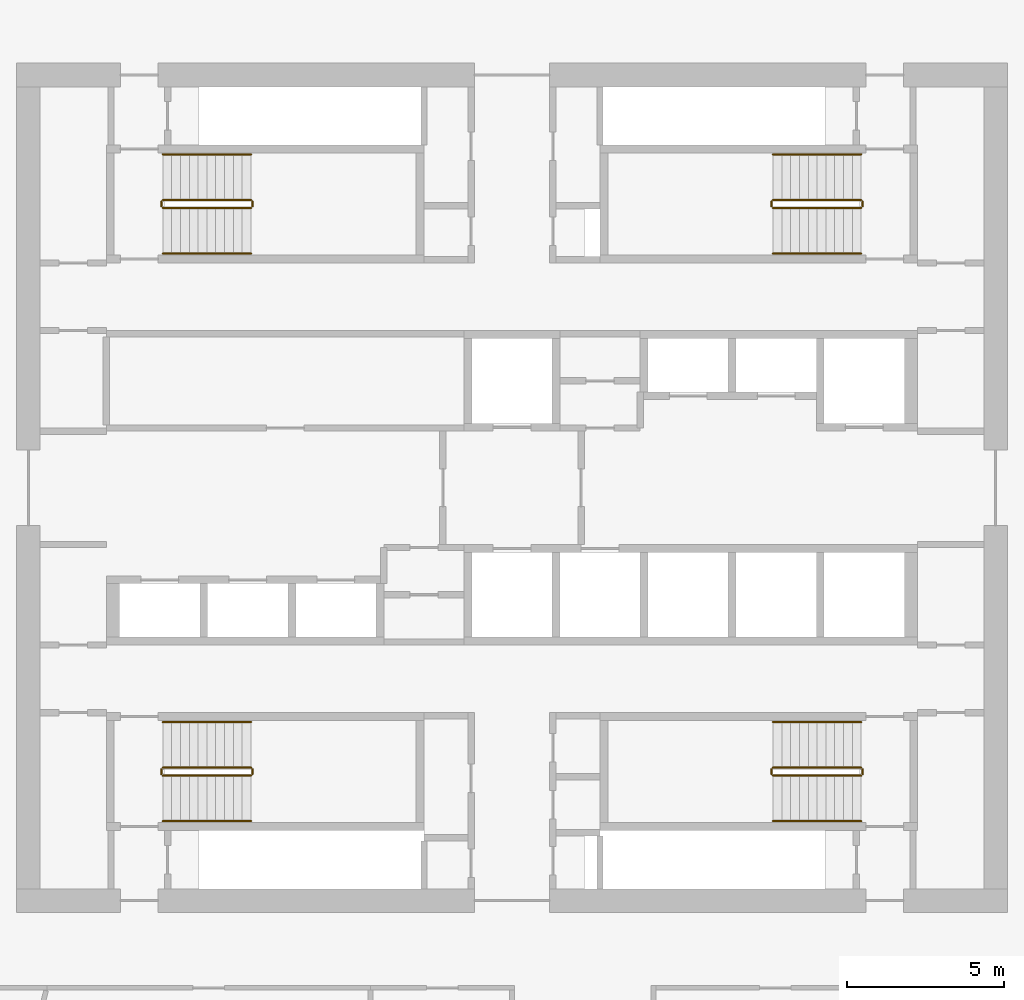
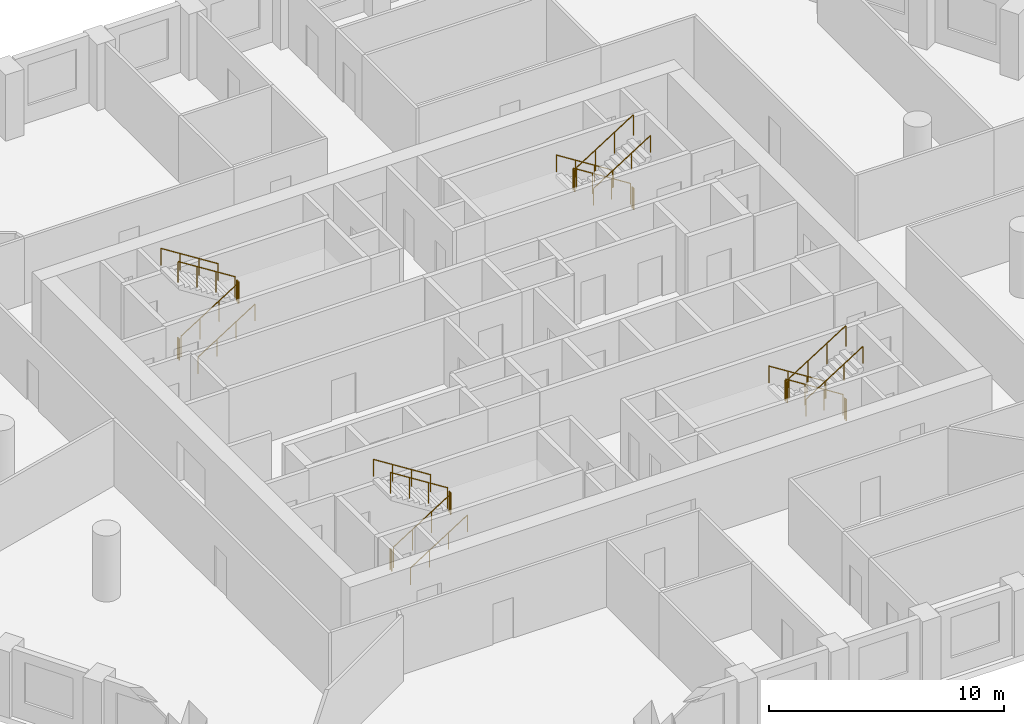
# One storey, part 9 of 9: 24 railings.
"""IFC4 building model written with IfcOpenShell, lengths in metres."""

from ifc_helpers import new_model, si_unit, direction, frame, origin, origin_2d, place, context, subcontext, project, spatial, circle, extrude, material, type_object, element, save


model = new_model("IFC4")

# Units and contexts
model_context = context("Model", 3, precision=1e-05, world=origin(), true_north=direction((0.0, 1.0)))
body_context = subcontext(model_context, "Body", "Model", "MODEL_VIEW")
ifc_project = project(units=[si_unit("LENGTHUNIT", "METRE"), si_unit("AREAUNIT", "SQUARE_METRE"), si_unit("VOLUMEUNIT", "CUBIC_METRE"), si_unit("PLANEANGLEUNIT", "RADIAN"), si_unit("MASSUNIT", "GRAM", prefix="KILO")], contexts=[model_context])

# Site, building, storey
site_placement = place(None, origin())
site = spatial("IfcSite", under=ifc_project, at=site_placement, CompositionType="ELEMENT")
building_placement = place(site_placement, origin())
building = spatial("IfcBuilding", under=site, at=building_placement, Name="Dhurran Vertical Campus", CompositionType="ELEMENT")
storey_placement = place(building_placement, frame((0.0, 0.0, 175.5)))
storey = spatial("IfcBuildingStorey", under=building, at=storey_placement, Name="L43", CompositionType="ELEMENT", Elevation=175.5)

# Railings
ifc_material_1 = material(Name="Stainless steel balustrade", Category="steel")
railing_type_1 = type_object("IfcRailingType", Name="co-RL-GUARD-1100", PredefinedType="GUARDRAIL", material=ifc_material_1)
railing_1_placement = place(storey_placement, frame((-11.10009765625, 8.89990234375, 0.17724609375)))
element("IfcRailing", 1, at=railing_1_placement, inside=storey, type_object=railing_type_1, Name="L43 ST1 stair guard 1", PredefinedType="GUARDRAIL", context=body_context, shape_type="SweptSolid", body=[
    extrude(circle(Radius=0.02392578125, at=origin_2d()), frame((0.0, 0.0, 1.076171875), z_axis=(0.844908973607, 0.0, 0.534910110503), x_axis=(0.0, 1.0, 0.0)), (0.0, 0.0, 1.0), 3.31396484375),
    extrude(circle(Radius=0.02099609375, at=origin_2d()), origin(), (0.0, 0.0, 1.0), 1.052001953125),
    extrude(circle(Radius=0.02099609375, at=origin_2d()), frame((0.933349609375, 0.0, 0.5908203125)), (0.0, 0.0, 1.0), 1.052001953125),
    extrude(circle(Radius=0.02099609375, at=origin_2d()), frame((1.86669921875, 0.0, 1.181884765625)), (0.0, 0.0, 1.0), 1.052001953125),
    extrude(circle(Radius=0.02099609375, at=origin_2d()), frame((2.800048828125, 0.0, 1.772705078125)), (0.0, 0.0, 1.0), 1.052001953125),
])
railing_2_placement = place(storey_placement, frame((-8.25, 8.949951171875, 1.949951171875)))
element("IfcRailing", 2, at=railing_2_placement, inside=storey, type_object=railing_type_1, Name="L43 ST1 stair guard 2", PredefinedType="GUARDRAIL", context=body_context, shape_type="SweptSolid", body=[
    extrude(circle(Radius=0.02392578125, at=origin_2d()), frame((0.0, 0.0, 1.076171875), z_axis=(0.0, 1.0, 0.0), x_axis=(-1.0, 0.0, 0.0)), (0.0, 0.0, 1.0), 0.150146484375),
    extrude(circle(Radius=0.02099609375, at=origin_2d()), origin(), (0.0, 0.0, 1.0), 1.052001953125),
    extrude(circle(Radius=0.02099609375, at=origin_2d()), frame((0.0, 0.150146484375, 0.0)), (0.0, 0.0, 1.0), 1.052001953125),
])
railing_3_placement = place(storey_placement, frame((-8.300048828125, 9.14990234375, 2.127197265625)))
element("IfcRailing", 3, at=railing_3_placement, inside=storey, type_object=railing_type_1, Name="L43 ST1 stair guard 3", PredefinedType="GUARDRAIL", context=body_context, shape_type="SweptSolid", body=[
    extrude(circle(Radius=0.02392578125, at=origin_2d()), frame((0.0, 0.0, 1.076171875), z_axis=(-0.844908973607, 0.0, 0.534910110503), x_axis=(0.0, -1.0, 0.0)), (0.0, 0.0, 1.0), 3.31396484375),
    extrude(circle(Radius=0.02099609375, at=origin_2d()), origin(), (0.0, 0.0, 1.0), 1.052001953125),
    extrude(circle(Radius=0.02099609375, at=origin_2d()), frame((-0.933349609375, 0.0, 0.5908203125)), (0.0, 0.0, 1.0), 1.052001953125),
    extrude(circle(Radius=0.02099609375, at=origin_2d()), frame((-1.86669921875, 0.0, 1.181884765625)), (0.0, 0.0, 1.0), 1.052001953125),
    extrude(circle(Radius=0.02099609375, at=origin_2d()), frame((-2.800048828125, 0.0, 1.772705078125)), (0.0, 0.0, 1.0), 1.052001953125),
])
railing_4_placement = place(storey_placement, frame((-11.14990234375, 8.949951171875, 0.0)))
element("IfcRailing", 4, at=railing_4_placement, inside=storey, type_object=railing_type_1, Name="L43 ST1 stair guard 4", PredefinedType="GUARDRAIL", context=body_context, shape_type="SweptSolid", body=[
    extrude(circle(Radius=0.02392578125, at=origin_2d()), frame((0.0, 0.0, 1.076171875), z_axis=(0.0, 1.0, 0.0), x_axis=(-1.0, 0.0, 0.0)), (0.0, 0.0, 1.0), 0.150146484375),
    extrude(circle(Radius=0.02099609375, at=origin_2d()), origin(), (0.0, 0.0, 1.0), 1.052001953125),
    extrude(circle(Radius=0.02099609375, at=origin_2d()), frame((0.0, 0.150146484375, 0.0)), (0.0, 0.0, 1.0), 1.052001953125),
])
railing_5_placement = place(storey_placement, frame((11.10009765625, 9.14990234375, 0.17724609375)))
element("IfcRailing", 5, at=railing_5_placement, inside=storey, type_object=railing_type_1, Name="L43 ST2 stair guard 1", PredefinedType="GUARDRAIL", context=body_context, shape_type="SweptSolid", body=[
    extrude(circle(Radius=0.02392578125, at=origin_2d()), frame((0.0, 0.0, 1.076171875), z_axis=(-0.844908973607, 0.0, 0.534910110503), x_axis=(0.0, -1.0, 0.0)), (0.0, 0.0, 1.0), 3.31396484375),
    extrude(circle(Radius=0.02099609375, at=origin_2d()), origin(), (0.0, 0.0, 1.0), 1.052001953125),
    extrude(circle(Radius=0.02099609375, at=origin_2d()), frame((-0.933349609375, 0.0, 0.5908203125)), (0.0, 0.0, 1.0), 1.052001953125),
    extrude(circle(Radius=0.02099609375, at=origin_2d()), frame((-1.86669921875, 0.0, 1.181884765625)), (0.0, 0.0, 1.0), 1.052001953125),
    extrude(circle(Radius=0.02099609375, at=origin_2d()), frame((-2.800048828125, 0.0, 1.772705078125)), (0.0, 0.0, 1.0), 1.052001953125),
])
railing_6_placement = place(storey_placement, frame((8.25, 9.10009765625, 1.949951171875)))
element("IfcRailing", 6, at=railing_6_placement, inside=storey, type_object=railing_type_1, Name="L43 ST2 stair guard 2", PredefinedType="GUARDRAIL", context=body_context, shape_type="SweptSolid", body=[
    extrude(circle(Radius=0.02392578125, at=origin_2d()), frame((0.0, 0.0, 1.076171875), z_axis=(0.0, -1.0, 0.0), x_axis=(1.0, 0.0, 0.0)), (0.0, 0.0, 1.0), 0.150146484375),
    extrude(circle(Radius=0.02099609375, at=origin_2d()), origin(), (0.0, 0.0, 1.0), 1.052001953125),
    extrude(circle(Radius=0.02099609375, at=origin_2d()), frame((0.0, -0.150146484375, 0.0)), (0.0, 0.0, 1.0), 1.052001953125),
])
railing_7_placement = place(storey_placement, frame((8.300048828125, 8.89990234375, 2.127197265625)))
element("IfcRailing", 7, at=railing_7_placement, inside=storey, type_object=railing_type_1, Name="L43 ST2 stair guard 3", PredefinedType="GUARDRAIL", context=body_context, shape_type="SweptSolid", body=[
    extrude(circle(Radius=0.02392578125, at=origin_2d()), frame((0.0, 0.0, 1.076171875), z_axis=(0.844908973607, 0.0, 0.534910110503), x_axis=(0.0, 1.0, 0.0)), (0.0, 0.0, 1.0), 3.31396484375),
    extrude(circle(Radius=0.02099609375, at=origin_2d()), origin(), (0.0, 0.0, 1.0), 1.052001953125),
    extrude(circle(Radius=0.02099609375, at=origin_2d()), frame((0.933349609375, 0.0, 0.5908203125)), (0.0, 0.0, 1.0), 1.052001953125),
    extrude(circle(Radius=0.02099609375, at=origin_2d()), frame((1.86669921875, 0.0, 1.181884765625)), (0.0, 0.0, 1.0), 1.052001953125),
    extrude(circle(Radius=0.02099609375, at=origin_2d()), frame((2.800048828125, 0.0, 1.772705078125)), (0.0, 0.0, 1.0), 1.052001953125),
])
railing_8_placement = place(storey_placement, frame((11.14990234375, 9.10009765625, 0.0)))
element("IfcRailing", 8, at=railing_8_placement, inside=storey, type_object=railing_type_1, Name="L43 ST2 stair guard 4", PredefinedType="GUARDRAIL", context=body_context, shape_type="SweptSolid", body=[
    extrude(circle(Radius=0.02392578125, at=origin_2d()), frame((0.0, 0.0, 1.076171875), z_axis=(0.0, -1.0, 0.0), x_axis=(1.0, 0.0, 0.0)), (0.0, 0.0, 1.0), 0.150146484375),
    extrude(circle(Radius=0.02099609375, at=origin_2d()), origin(), (0.0, 0.0, 1.0), 1.052001953125),
    extrude(circle(Radius=0.02099609375, at=origin_2d()), frame((0.0, -0.150146484375, 0.0)), (0.0, 0.0, 1.0), 1.052001953125),
])
railing_9_placement = place(storey_placement, frame((-11.10009765625, -9.14990234375, 0.17724609375)))
element("IfcRailing", 9, at=railing_9_placement, inside=storey, type_object=railing_type_1, Name="L43 ST3 stair guard 1", PredefinedType="GUARDRAIL", context=body_context, shape_type="SweptSolid", body=[
    extrude(circle(Radius=0.02392578125, at=origin_2d()), frame((0.0, 0.0, 1.076171875), z_axis=(0.844908973607, 0.0, 0.534910110503), x_axis=(0.0, 1.0, 0.0)), (0.0, 0.0, 1.0), 3.31396484375),
    extrude(circle(Radius=0.02099609375, at=origin_2d()), origin(), (0.0, 0.0, 1.0), 1.052001953125),
    extrude(circle(Radius=0.02099609375, at=origin_2d()), frame((0.933349609375, 0.0, 0.5908203125)), (0.0, 0.0, 1.0), 1.052001953125),
    extrude(circle(Radius=0.02099609375, at=origin_2d()), frame((1.86669921875, 0.0, 1.181884765625)), (0.0, 0.0, 1.0), 1.052001953125),
    extrude(circle(Radius=0.02099609375, at=origin_2d()), frame((2.800048828125, 0.0, 1.772705078125)), (0.0, 0.0, 1.0), 1.052001953125),
])
railing_10_placement = place(storey_placement, frame((-8.25, -9.10009765625, 1.949951171875)))
element("IfcRailing", 10, at=railing_10_placement, inside=storey, type_object=railing_type_1, Name="L43 ST3 stair guard 2", PredefinedType="GUARDRAIL", context=body_context, shape_type="SweptSolid", body=[
    extrude(circle(Radius=0.02392578125, at=origin_2d()), frame((0.0, 0.0, 1.076171875), z_axis=(0.0, 1.0, 0.0), x_axis=(-1.0, 0.0, 0.0)), (0.0, 0.0, 1.0), 0.150146484375),
    extrude(circle(Radius=0.02099609375, at=origin_2d()), origin(), (0.0, 0.0, 1.0), 1.052001953125),
    extrude(circle(Radius=0.02099609375, at=origin_2d()), frame((0.0, 0.150146484375, 0.0)), (0.0, 0.0, 1.0), 1.052001953125),
])
railing_11_placement = place(storey_placement, frame((-8.300048828125, -8.89990234375, 2.127197265625)))
element("IfcRailing", 11, at=railing_11_placement, inside=storey, type_object=railing_type_1, Name="L43 ST3 stair guard 3", PredefinedType="GUARDRAIL", context=body_context, shape_type="SweptSolid", body=[
    extrude(circle(Radius=0.02392578125, at=origin_2d()), frame((0.0, 0.0, 1.076171875), z_axis=(-0.844908973607, 0.0, 0.534910110503), x_axis=(0.0, -1.0, 0.0)), (0.0, 0.0, 1.0), 3.31396484375),
    extrude(circle(Radius=0.02099609375, at=origin_2d()), origin(), (0.0, 0.0, 1.0), 1.052001953125),
    extrude(circle(Radius=0.02099609375, at=origin_2d()), frame((-0.933349609375, 0.0, 0.5908203125)), (0.0, 0.0, 1.0), 1.052001953125),
    extrude(circle(Radius=0.02099609375, at=origin_2d()), frame((-1.86669921875, 0.0, 1.181884765625)), (0.0, 0.0, 1.0), 1.052001953125),
    extrude(circle(Radius=0.02099609375, at=origin_2d()), frame((-2.800048828125, 0.0, 1.772705078125)), (0.0, 0.0, 1.0), 1.052001953125),
])
railing_12_placement = place(storey_placement, frame((-11.14990234375, -9.10009765625, 0.0)))
element("IfcRailing", 12, at=railing_12_placement, inside=storey, type_object=railing_type_1, Name="L43 ST3 stair guard 4", PredefinedType="GUARDRAIL", context=body_context, shape_type="SweptSolid", body=[
    extrude(circle(Radius=0.02392578125, at=origin_2d()), frame((0.0, 0.0, 1.076171875), z_axis=(0.0, 1.0, 0.0), x_axis=(-1.0, 0.0, 0.0)), (0.0, 0.0, 1.0), 0.150146484375),
    extrude(circle(Radius=0.02099609375, at=origin_2d()), origin(), (0.0, 0.0, 1.0), 1.052001953125),
    extrude(circle(Radius=0.02099609375, at=origin_2d()), frame((0.0, 0.150146484375, 0.0)), (0.0, 0.0, 1.0), 1.052001953125),
])
railing_13_placement = place(storey_placement, frame((11.10009765625, -8.89990234375, 0.17724609375)))
element("IfcRailing", 13, at=railing_13_placement, inside=storey, type_object=railing_type_1, Name="L43 ST4 stair guard 1", PredefinedType="GUARDRAIL", context=body_context, shape_type="SweptSolid", body=[
    extrude(circle(Radius=0.02392578125, at=origin_2d()), frame((0.0, 0.0, 1.076171875), z_axis=(-0.844908973607, 0.0, 0.534910110503), x_axis=(0.0, -1.0, 0.0)), (0.0, 0.0, 1.0), 3.31396484375),
    extrude(circle(Radius=0.02099609375, at=origin_2d()), origin(), (0.0, 0.0, 1.0), 1.052001953125),
    extrude(circle(Radius=0.02099609375, at=origin_2d()), frame((-0.933349609375, 0.0, 0.5908203125)), (0.0, 0.0, 1.0), 1.052001953125),
    extrude(circle(Radius=0.02099609375, at=origin_2d()), frame((-1.86669921875, 0.0, 1.181884765625)), (0.0, 0.0, 1.0), 1.052001953125),
    extrude(circle(Radius=0.02099609375, at=origin_2d()), frame((-2.800048828125, 0.0, 1.772705078125)), (0.0, 0.0, 1.0), 1.052001953125),
])
railing_14_placement = place(storey_placement, frame((8.25, -8.949951171875, 1.949951171875)))
element("IfcRailing", 14, at=railing_14_placement, inside=storey, type_object=railing_type_1, Name="L43 ST4 stair guard 2", PredefinedType="GUARDRAIL", context=body_context, shape_type="SweptSolid", body=[
    extrude(circle(Radius=0.02392578125, at=origin_2d()), frame((0.0, 0.0, 1.076171875), z_axis=(0.0, -1.0, 0.0), x_axis=(1.0, 0.0, 0.0)), (0.0, 0.0, 1.0), 0.150146484375),
    extrude(circle(Radius=0.02099609375, at=origin_2d()), origin(), (0.0, 0.0, 1.0), 1.052001953125),
    extrude(circle(Radius=0.02099609375, at=origin_2d()), frame((0.0, -0.150146484375, 0.0)), (0.0, 0.0, 1.0), 1.052001953125),
])
railing_15_placement = place(storey_placement, frame((8.300048828125, -9.14990234375, 2.127197265625)))
element("IfcRailing", 15, at=railing_15_placement, inside=storey, type_object=railing_type_1, Name="L43 ST4 stair guard 3", PredefinedType="GUARDRAIL", context=body_context, shape_type="SweptSolid", body=[
    extrude(circle(Radius=0.02392578125, at=origin_2d()), frame((0.0, 0.0, 1.076171875), z_axis=(0.844908973607, 0.0, 0.534910110503), x_axis=(0.0, 1.0, 0.0)), (0.0, 0.0, 1.0), 3.31396484375),
    extrude(circle(Radius=0.02099609375, at=origin_2d()), origin(), (0.0, 0.0, 1.0), 1.052001953125),
    extrude(circle(Radius=0.02099609375, at=origin_2d()), frame((0.933349609375, 0.0, 0.5908203125)), (0.0, 0.0, 1.0), 1.052001953125),
    extrude(circle(Radius=0.02099609375, at=origin_2d()), frame((1.86669921875, 0.0, 1.181884765625)), (0.0, 0.0, 1.0), 1.052001953125),
    extrude(circle(Radius=0.02099609375, at=origin_2d()), frame((2.800048828125, 0.0, 1.772705078125)), (0.0, 0.0, 1.0), 1.052001953125),
])
railing_16_placement = place(storey_placement, frame((11.14990234375, -8.949951171875, 0.0)))
element("IfcRailing", 16, at=railing_16_placement, inside=storey, type_object=railing_type_1, Name="L43 ST4 stair guard 4", PredefinedType="GUARDRAIL", context=body_context, shape_type="SweptSolid", body=[
    extrude(circle(Radius=0.02392578125, at=origin_2d()), frame((0.0, 0.0, 1.076171875), z_axis=(0.0, -1.0, 0.0), x_axis=(1.0, 0.0, 0.0)), (0.0, 0.0, 1.0), 0.150146484375),
    extrude(circle(Radius=0.02099609375, at=origin_2d()), origin(), (0.0, 0.0, 1.0), 1.052001953125),
    extrude(circle(Radius=0.02099609375, at=origin_2d()), frame((0.0, -0.150146484375, 0.0)), (0.0, 0.0, 1.0), 1.052001953125),
])
ifc_material_2 = material(Name="Stainless steel handrail", Category="steel")
railing_type_2 = type_object("IfcRailingType", Name="co-RL-HANDRAIL-900", PredefinedType="HANDRAIL", material=ifc_material_2)
railing_17_placement = place(storey_placement, frame((-11.10009765625, 7.449951171875, 0.17724609375)))
element("IfcRailing", 17, at=railing_17_placement, inside=storey, type_object=railing_type_2, Name="L43 ST1 stair handrail 1", PredefinedType="HANDRAIL", context=body_context, shape_type="SweptSolid", body=[
    extrude(circle(Radius=0.02392578125, at=origin_2d()), frame((0.0, 0.0, 0.8759765625), z_axis=(0.844908973607, 0.0, 0.534910110503), x_axis=(0.0, 1.0, 0.0)), (0.0, 0.0, 1.0), 3.31396484375),
    extrude(circle(Radius=0.02099609375, at=origin_2d()), origin(), (0.0, 0.0, 1.0), 0.851806640625),
    extrude(circle(Radius=0.02099609375, at=origin_2d()), frame((0.933349609375, 0.0, 0.5908203125)), (0.0, 0.0, 1.0), 0.851806640625),
    extrude(circle(Radius=0.02099609375, at=origin_2d()), frame((1.86669921875, 0.0, 1.181884765625)), (0.0, 0.0, 1.0), 0.851806640625),
    extrude(circle(Radius=0.02099609375, at=origin_2d()), frame((2.800048828125, 0.0, 1.772705078125)), (0.0, 0.0, 1.0), 0.851806640625),
])
for number, where, name in (
    (18, (-8.300048828125, 10.60009765625, 2.127197265625), "L43 ST1 stair handrail 2"),
    (19, (11.10009765625, 10.60009765625, 0.17724609375), "L43 ST2 stair handrail 1"),
):
    element("IfcRailing", number, at=place(storey_placement, frame(where)), inside=storey, type_object=railing_type_2, Name=name, PredefinedType="HANDRAIL", context=body_context, shape_type="SweptSolid", body=[
        extrude(circle(Radius=0.02392578125, at=origin_2d()), frame((0.0, 0.0, 0.8759765625), z_axis=(-0.844908973607, 0.0, 0.534910110503), x_axis=(0.0, -1.0, 0.0)), (0.0, 0.0, 1.0), 3.31396484375),
        extrude(circle(Radius=0.02099609375, at=origin_2d()), origin(), (0.0, 0.0, 1.0), 0.851806640625),
        extrude(circle(Radius=0.02099609375, at=origin_2d()), frame((-0.933349609375, 0.0, 0.5908203125)), (0.0, 0.0, 1.0), 0.851806640625),
        extrude(circle(Radius=0.02099609375, at=origin_2d()), frame((-1.86669921875, 0.0, 1.181884765625)), (0.0, 0.0, 1.0), 0.851806640625),
        extrude(circle(Radius=0.02099609375, at=origin_2d()), frame((-2.800048828125, 0.0, 1.772705078125)), (0.0, 0.0, 1.0), 0.851806640625),
    ])
for number, where, name in (
    (20, (8.300048828125, 7.449951171875, 2.127197265625), "L43 ST2 stair handrail 2"),
    (21, (-11.10009765625, -10.60009765625, 0.17724609375), "L43 ST3 stair handrail 1"),
):
    element("IfcRailing", number, at=place(storey_placement, frame(where)), inside=storey, type_object=railing_type_2, Name=name, PredefinedType="HANDRAIL", context=body_context, shape_type="SweptSolid", body=[
        extrude(circle(Radius=0.02392578125, at=origin_2d()), frame((0.0, 0.0, 0.8759765625), z_axis=(0.844908973607, 0.0, 0.534910110503), x_axis=(0.0, 1.0, 0.0)), (0.0, 0.0, 1.0), 3.31396484375),
        extrude(circle(Radius=0.02099609375, at=origin_2d()), origin(), (0.0, 0.0, 1.0), 0.851806640625),
        extrude(circle(Radius=0.02099609375, at=origin_2d()), frame((0.933349609375, 0.0, 0.5908203125)), (0.0, 0.0, 1.0), 0.851806640625),
        extrude(circle(Radius=0.02099609375, at=origin_2d()), frame((1.86669921875, 0.0, 1.181884765625)), (0.0, 0.0, 1.0), 0.851806640625),
        extrude(circle(Radius=0.02099609375, at=origin_2d()), frame((2.800048828125, 0.0, 1.772705078125)), (0.0, 0.0, 1.0), 0.851806640625),
    ])
for number, where, name in (
    (22, (-8.300048828125, -7.449951171875, 2.127197265625), "L43 ST3 stair handrail 2"),
    (23, (11.10009765625, -7.449951171875, 0.17724609375), "L43 ST4 stair handrail 1"),
):
    element("IfcRailing", number, at=place(storey_placement, frame(where)), inside=storey, type_object=railing_type_2, Name=name, PredefinedType="HANDRAIL", context=body_context, shape_type="SweptSolid", body=[
        extrude(circle(Radius=0.02392578125, at=origin_2d()), frame((0.0, 0.0, 0.8759765625), z_axis=(-0.844908973607, 0.0, 0.534910110503), x_axis=(0.0, -1.0, 0.0)), (0.0, 0.0, 1.0), 3.31396484375),
        extrude(circle(Radius=0.02099609375, at=origin_2d()), origin(), (0.0, 0.0, 1.0), 0.851806640625),
        extrude(circle(Radius=0.02099609375, at=origin_2d()), frame((-0.933349609375, 0.0, 0.5908203125)), (0.0, 0.0, 1.0), 0.851806640625),
        extrude(circle(Radius=0.02099609375, at=origin_2d()), frame((-1.86669921875, 0.0, 1.181884765625)), (0.0, 0.0, 1.0), 0.851806640625),
        extrude(circle(Radius=0.02099609375, at=origin_2d()), frame((-2.800048828125, 0.0, 1.772705078125)), (0.0, 0.0, 1.0), 0.851806640625),
    ])
railing_18_placement = place(storey_placement, frame((8.300048828125, -10.60009765625, 2.127197265625)))
element("IfcRailing", 24, at=railing_18_placement, inside=storey, type_object=railing_type_2, Name="L43 ST4 stair handrail 2", PredefinedType="HANDRAIL", context=body_context, shape_type="SweptSolid", body=[
    extrude(circle(Radius=0.02392578125, at=origin_2d()), frame((0.0, 0.0, 0.8759765625), z_axis=(0.844908973607, 0.0, 0.534910110503), x_axis=(0.0, 1.0, 0.0)), (0.0, 0.0, 1.0), 3.31396484375),
    extrude(circle(Radius=0.02099609375, at=origin_2d()), origin(), (0.0, 0.0, 1.0), 0.851806640625),
    extrude(circle(Radius=0.02099609375, at=origin_2d()), frame((0.933349609375, 0.0, 0.5908203125)), (0.0, 0.0, 1.0), 0.851806640625),
    extrude(circle(Radius=0.02099609375, at=origin_2d()), frame((1.86669921875, 0.0, 1.181884765625)), (0.0, 0.0, 1.0), 0.851806640625),
    extrude(circle(Radius=0.02099609375, at=origin_2d()), frame((2.800048828125, 0.0, 1.772705078125)), (0.0, 0.0, 1.0), 0.851806640625),
])

save(model, "model.ifc")
